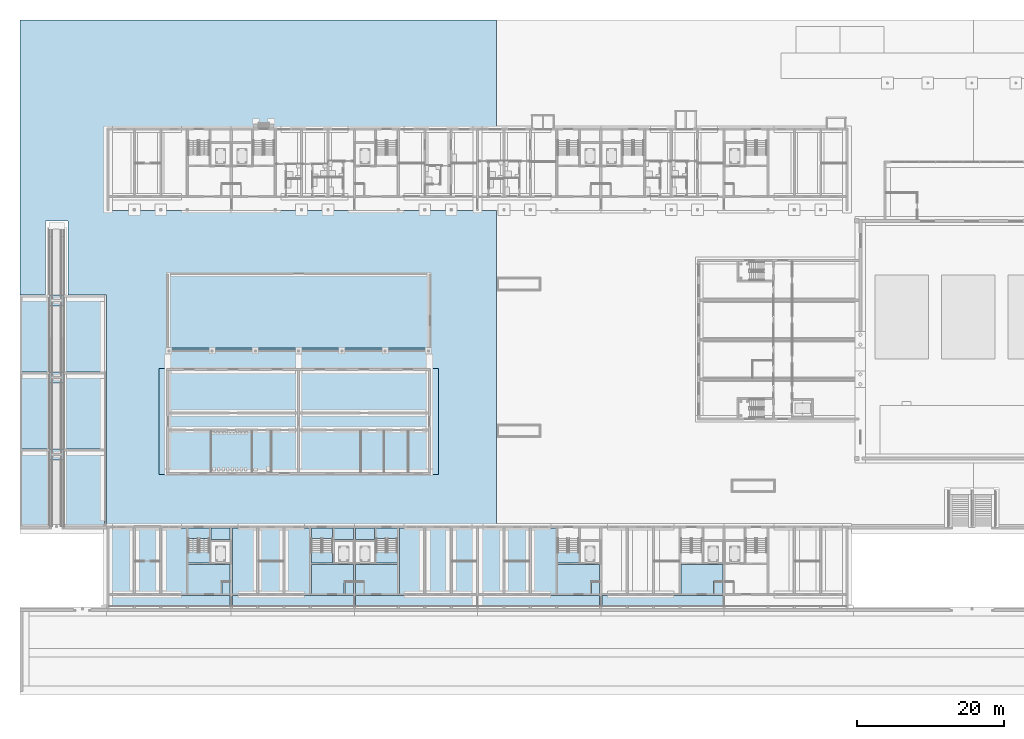
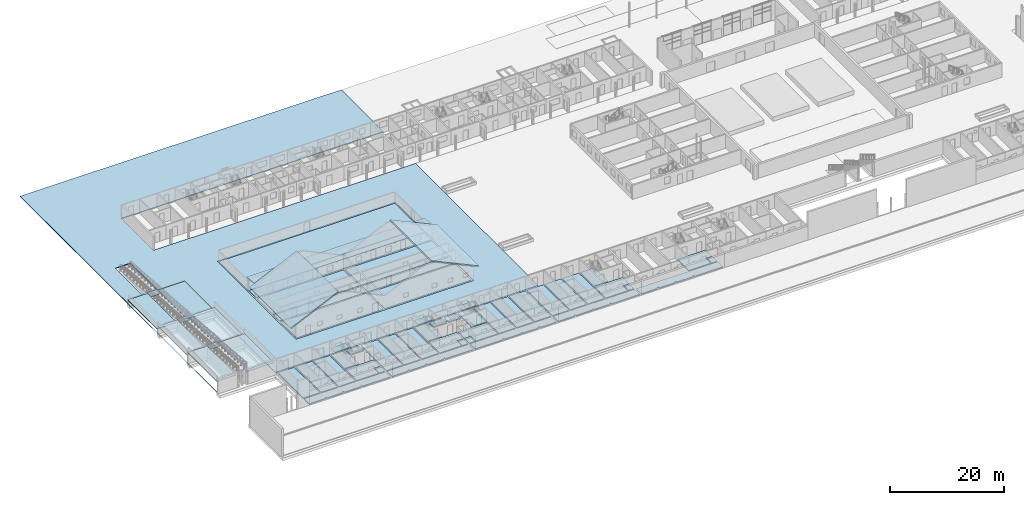
# One storey, part 29 of 112: 58 slabs, 4 elements without a shape of their own.
"""IFC4 building model written with IfcOpenShell, lengths in metres."""

from ifc_helpers import new_model, si_unit, direction, frame, origin, place, context, subcontext, project, spatial, polyline, outline, extrude, material, layer, layer_set, type_object, element, aggregate, save


model = new_model("IFC4")

# Units and contexts
model_context = context("Model", 3, precision=1e-05, world=origin(), true_north=direction((0.0, 1.0)))
body_context = subcontext(model_context, "Body", "Model", "MODEL_VIEW")
ifc_project = project(units=[si_unit("LENGTHUNIT", "METRE"), si_unit("AREAUNIT", "SQUARE_METRE"), si_unit("VOLUMEUNIT", "CUBIC_METRE"), si_unit("PLANEANGLEUNIT", "RADIAN"), si_unit("MASSUNIT", "GRAM", prefix="KILO")], contexts=[model_context])

# Site, building, storey
site_placement = place(None, origin())
site = spatial("IfcSite", under=ifc_project, at=site_placement, CompositionType="ELEMENT")
building_placement = place(site_placement, origin())
building = spatial("IfcBuilding", under=site, at=building_placement, Name="Ridgestep Commons", CompositionType="ELEMENT")
storey_placement = place(building_placement, origin())
storey = spatial("IfcBuildingStorey", under=building, at=storey_placement, Name="L00", CompositionType="ELEMENT", Elevation=0.0)

# Slabs
ifc_material_1 = material(Name="Concrete C30/37", Category="concrete")
ifc_layer_1 = layer(ifc_material_1, 0.14990234375)
ifc_layer_set_1 = layer_set([ifc_layer_1], Name="Community ground slab 150")
slab_type_1 = type_object("IfcSlabType", Name="Community ground slab 150", PredefinedType="BASESLAB", material=ifc_layer_set_1)
slab_1_placement = place(storey_placement, frame((0.0, 0.0, -0.14990234375)))
element("IfcSlab", 1, at=slab_1_placement, inside=storey, type_object=slab_type_1, Name="Community ground slab 150", PredefinedType="BASESLAB", context=body_context, shape_type="SweptSolid", body=[
    extrude(outline(polyline([(20.300048828125, 30.300048828125), (37.85009765625, 30.300048828125), (37.85009765625, 35.949951171875), (20.300048828125, 35.949951171875), (20.300048828125, 30.300048828125)])), origin(), (0.0, 0.0, 1.0), 0.14990234375),
])
slab_2_placement = place(storey_placement, frame((0.0, 0.0, -0.14990234375)))
element("IfcSlab", 2, at=slab_2_placement, inside=storey, type_object=slab_type_1, Name="Community ground slab 150", PredefinedType="BASESLAB", context=body_context, shape_type="SweptSolid", body=[
    extrude(outline(polyline([(20.300048828125, 36.25), (37.85009765625, 36.25), (37.85009765625, 38.25), (20.300048828125, 38.25), (20.300048828125, 36.25)])), origin(), (0.0, 0.0, 1.0), 0.14990234375),
])
slab_3_placement = place(storey_placement, frame((0.0, 0.0, -0.14990234375)))
element("IfcSlab", 3, at=slab_3_placement, inside=storey, type_object=slab_type_1, Name="Community ground slab 150", PredefinedType="BASESLAB", context=body_context, shape_type="SweptSolid", body=[
    extrude(outline(polyline([(20.300048828125, 38.550048828125), (37.85009765625, 38.550048828125), (37.85009765625, 44.199951171875), (20.300048828125, 44.199951171875), (20.300048828125, 38.550048828125)])), origin(), (0.0, 0.0, 1.0), 0.14990234375),
])
slab_4_placement = place(storey_placement, frame((0.0, 0.0, -0.14990234375)))
element("IfcSlab", 4, at=slab_4_placement, inside=storey, type_object=slab_type_1, Name="Community ground slab 150", PredefinedType="BASESLAB", context=body_context, shape_type="SweptSolid", body=[
    extrude(outline(polyline([(38.14990234375, 30.300048828125), (55.699951171875, 30.300048828125), (55.699951171875, 35.949951171875), (38.14990234375, 35.949951171875), (38.14990234375, 30.300048828125)])), origin(), (0.0, 0.0, 1.0), 0.14990234375),
])
slab_5_placement = place(storey_placement, frame((0.0, 0.0, -0.14990234375)))
element("IfcSlab", 5, at=slab_5_placement, inside=storey, type_object=slab_type_1, Name="Community ground slab 150", PredefinedType="BASESLAB", context=body_context, shape_type="SweptSolid", body=[
    extrude(outline(polyline([(38.14990234375, 36.25), (55.699951171875, 36.25), (55.699951171875, 38.25), (38.14990234375, 38.25), (38.14990234375, 36.25)])), origin(), (0.0, 0.0, 1.0), 0.14990234375),
])
slab_6_placement = place(storey_placement, frame((0.0, 0.0, -0.14990234375)))
element("IfcSlab", 6, at=slab_6_placement, inside=storey, type_object=slab_type_1, Name="Community ground slab 150", PredefinedType="BASESLAB", context=body_context, shape_type="SweptSolid", body=[
    extrude(outline(polyline([(38.14990234375, 38.550048828125), (55.699951171875, 38.550048828125), (55.699951171875, 44.199951171875), (38.14990234375, 44.199951171875), (38.14990234375, 38.550048828125)])), origin(), (0.0, 0.0, 1.0), 0.14990234375),
])
ifc_material_2 = material(Name="Concrete C30/37", Category="concrete")
ifc_layer_2 = layer(ifc_material_2, 0.14990234375)
ifc_layer_set_2 = layer_set([ifc_layer_2], Name="Community paving slab 150")
slab_type_2 = type_object("IfcSlabType", Name="Community paving slab 150", PredefinedType="BASESLAB", material=ifc_layer_set_2)
slab_7_placement = place(storey_placement, frame((0.0, 0.0, -0.14990234375)))
element("IfcSlab", 7, at=slab_7_placement, inside=storey, type_object=slab_type_2, Name="Play yard surface", PredefinedType="BASESLAB", context=body_context, shape_type="SweptSolid", body=[
    extrude(outline(polyline([(20.199951171875, 47.0), (55.800048828125, 47.0), (55.800048828125, 57.300048828125), (20.199951171875, 57.300048828125), (20.199951171875, 47.0)])), origin(), (0.0, 0.0, 1.0), 0.14990234375),
])
slab_8_placement = place(storey_placement, frame((0.0, 0.0, -0.14990234375)))
element("IfcSlab", 8, at=slab_8_placement, inside=storey, type_object=slab_type_2, Name="Court paving", PredefinedType="BASESLAB", context=body_context, shape_type="SweptSolid", body=[
    extrude(outline(polyline([(65.0, 23.0), (11.800048828125, 23.0), (11.800048828125, 54.5), (6.550048828125, 54.5), (6.550048828125, 64.60009765625), (3.449951171875, 64.60009765625), (3.449951171875, 54.5), (0.001953125, 54.5), (0.001953125, 23.0), (0.0, 23.0), (0.0, 92.0), (65.0, 92.0), (65.0, 77.25), (12.0, 77.25), (12.0, 66.0), (65.0, 66.0), (65.0, 23.0)]), holes=[polyline([(56.0, 30.0), (56.0, 57.5), (20.0, 57.5), (20.0, 30.0), (56.0, 30.0)])]), origin(), (0.0, 0.0, 1.0), 0.14990234375),
])

# Ramp, slabs
ramp_placement = place(storey_placement, origin())
ramp = element("IfcRamp", 9, at=ramp_placement, inside=storey, Name="Accessible ramp", PredefinedType="STRAIGHT_RUN_RAMP")
ifc_material_3 = material(Name="Precast concrete C40/50", Category="concrete")
ifc_layer_3 = layer(ifc_material_3, 0.14990234375)
ifc_layer_set_3 = layer_set([ifc_layer_3], Name="Community ramp landing slab 150")
slab_type_3 = type_object("IfcSlabType", Name="Community ramp landing slab 150", PredefinedType="LANDING", material=ifc_layer_set_3)
slab_9_placement = place(storey_placement, frame((0.0, 0.0, 0.60009765625)))
slab_9 = element("IfcSlab", 10, at=slab_9_placement, type_object=slab_type_3, Name="Ramp landing", PredefinedType="LANDING", context=body_context, shape_type="SweptSolid", body=[
    extrude(outline(polyline([(3.949951171875, 53.0), (6.050048828125, 53.0), (6.050048828125, 54.5), (3.949951171875, 54.5), (3.949951171875, 53.0)])), origin(), (0.0, 0.0, 1.0), 0.14990234375),
])
slab_10_placement = place(storey_placement, frame((0.0, 0.0, 1.35009765625)))
slab_10 = element("IfcSlab", 11, at=slab_10_placement, type_object=slab_type_3, Name="Ramp landing", PredefinedType="LANDING", context=body_context, shape_type="SweptSolid", body=[
    extrude(outline(polyline([(3.949951171875, 42.5), (6.050048828125, 42.5), (6.050048828125, 44.0), (3.949951171875, 44.0), (3.949951171875, 42.5)])), origin(), (0.0, 0.0, 1.0), 0.14990234375),
])
slab_11_placement = place(storey_placement, frame((0.0, 0.0, 2.10009765625)))
slab_11 = element("IfcSlab", 12, at=slab_11_placement, type_object=slab_type_3, Name="Ramp landing", PredefinedType="LANDING", context=body_context, shape_type="SweptSolid", body=[
    extrude(outline(polyline([(3.949951171875, 32.0), (6.050048828125, 32.0), (6.050048828125, 33.5), (3.949951171875, 33.5), (3.949951171875, 32.0)])), origin(), (0.0, 0.0, 1.0), 0.14990234375),
])
aggregate(ramp, [slab_9, slab_10, slab_11])

# Slabs
ifc_material_4 = material(Name="Concrete C30/37", Category="concrete")
ifc_layer_4 = layer(ifc_material_4, 0.14990234375)
ifc_layer_set_4 = layer_set([ifc_layer_4], Name="Community terrace slab 150")
slab_type_4 = type_object("IfcSlabType", Name="Community terrace slab 150", PredefinedType="BASESLAB", material=ifc_layer_set_4)
slab_12_placement = place(storey_placement, frame((0.0, 0.0, 0.60009765625)))
element("IfcSlab", 13, at=slab_12_placement, inside=storey, type_object=slab_type_4, Name="Bank terrace paving", PredefinedType="BASESLAB", context=body_context, shape_type="SweptSolid", body=[
    extrude(outline(polyline([(0.001953125, 44.0), (3.949951171875, 44.0), (3.949951171875, 54.199951171875), (0.001953125, 54.199951171875), (0.001953125, 44.0)])), origin(), (0.0, 0.0, 1.0), 0.14990234375),
])
slab_13_placement = place(storey_placement, frame((0.0, 0.0, 0.60009765625)))
element("IfcSlab", 14, at=slab_13_placement, inside=storey, type_object=slab_type_4, Name="Bank terrace paving", PredefinedType="BASESLAB", context=body_context, shape_type="SweptSolid", body=[
    extrude(outline(polyline([(6.050048828125, 44.0), (11.5, 44.0), (11.5, 54.199951171875), (6.050048828125, 54.199951171875), (6.050048828125, 44.0)])), origin(), (0.0, 0.0, 1.0), 0.14990234375),
])
slab_14_placement = place(storey_placement, frame((0.0, 0.0, 1.35009765625)))
element("IfcSlab", 15, at=slab_14_placement, inside=storey, type_object=slab_type_4, Name="Bank terrace paving", PredefinedType="BASESLAB", context=body_context, shape_type="SweptSolid", body=[
    extrude(outline(polyline([(0.001953125, 33.5), (3.949951171875, 33.5), (3.949951171875, 43.699951171875), (0.001953125, 43.699951171875), (0.001953125, 33.5)])), origin(), (0.0, 0.0, 1.0), 0.14990234375),
])
slab_15_placement = place(storey_placement, frame((0.0, 0.0, 1.35009765625)))
element("IfcSlab", 16, at=slab_15_placement, inside=storey, type_object=slab_type_4, Name="Bank terrace paving", PredefinedType="BASESLAB", context=body_context, shape_type="SweptSolid", body=[
    extrude(outline(polyline([(6.050048828125, 33.5), (11.5, 33.5), (11.5, 43.699951171875), (6.050048828125, 43.699951171875), (6.050048828125, 33.5)])), origin(), (0.0, 0.0, 1.0), 0.14990234375),
])
slab_16_placement = place(storey_placement, frame((0.0, 0.0, 2.10009765625)))
element("IfcSlab", 17, at=slab_16_placement, inside=storey, type_object=slab_type_4, Name="Bank terrace paving", PredefinedType="BASESLAB", context=body_context, shape_type="SweptSolid", body=[
    extrude(outline(polyline([(0.001953125, 23.0), (3.949951171875, 23.0), (3.949951171875, 33.199951171875), (0.001953125, 33.199951171875), (0.001953125, 23.0)])), origin(), (0.0, 0.0, 1.0), 0.14990234375),
])
slab_17_placement = place(storey_placement, frame((0.0, 0.0, 2.10009765625)))
element("IfcSlab", 18, at=slab_17_placement, inside=storey, type_object=slab_type_4, Name="Bank terrace paving", PredefinedType="BASESLAB", context=body_context, shape_type="SweptSolid", body=[
    extrude(outline(polyline([(6.050048828125, 23.0), (11.5, 23.0), (11.5, 33.199951171875), (6.050048828125, 33.199951171875), (6.050048828125, 23.0)])), origin(), (0.0, 0.0, 1.0), 0.14990234375),
])
ifc_material_5 = material(Name="Precast concrete C40/50", Category="concrete")
ifc_layer_5 = layer(ifc_material_5, 0.199951171875)
ifc_layer_set_5 = layer_set([ifc_layer_5], Name="Gallery slab 200")
slab_type_5 = type_object("IfcSlabType", Name="Gallery slab 200", PredefinedType="FLOOR", material=ifc_layer_set_5)
slab_18_placement = place(storey_placement, frame((0.0, 0.0, -0.199951171875)))
element("IfcSlab", 19, at=slab_18_placement, inside=storey, type_object=slab_type_5, Name="Gallery slab A1 L00", PredefinedType="FLOOR", context=body_context, shape_type="SweptSolid", body=[
    extrude(outline(polyline([(28.64990234375, 13.550048828125), (12.14990234375, 13.550048828125), (12.14990234375, 11.75), (15.47509765625, 11.75), (15.47509765625, 12.0), (15.72509765625, 12.0), (15.72509765625, 11.75), (19.074951171875, 11.75), (19.074951171875, 12.0), (19.324951171875, 12.0), (19.324951171875, 11.75), (22.675048828125, 11.75), (22.675048828125, 12.0), (22.925048828125, 12.0), (22.925048828125, 11.75), (28.64990234375, 11.75), (28.64990234375, 13.550048828125)])), origin(), (0.0, 0.0, 1.0), 0.199951171875),
])
slab_19_placement = place(storey_placement, frame((0.0, 0.0, -0.199951171875)))
element("IfcSlab", 20, at=slab_19_placement, inside=storey, type_object=slab_type_5, Name="Gallery slab A2 L00", PredefinedType="FLOOR", context=body_context, shape_type="SweptSolid", body=[
    extrude(outline(polyline([(45.449951171875, 13.550048828125), (28.949951171875, 13.550048828125), (28.949951171875, 11.75), (32.27490234375, 11.75), (32.27490234375, 12.0), (32.52490234375, 12.0), (32.52490234375, 11.75), (35.875, 11.75), (35.875, 12.0), (36.125, 12.0), (36.125, 11.75), (39.47509765625, 11.75), (39.47509765625, 12.0), (39.72509765625, 12.0), (39.72509765625, 11.75), (45.449951171875, 11.75), (45.449951171875, 13.550048828125)])), origin(), (0.0, 0.0, 1.0), 0.199951171875),
])
slab_20_placement = place(storey_placement, frame((0.0, 0.0, -0.199951171875)))
element("IfcSlab", 21, at=slab_20_placement, inside=storey, type_object=slab_type_5, Name="Gallery slab A3 L00", PredefinedType="FLOOR", context=body_context, shape_type="SweptSolid", body=[
    extrude(outline(polyline([(62.25, 13.550048828125), (45.75, 13.550048828125), (45.75, 11.75), (51.47509765625, 11.75), (51.47509765625, 12.0), (51.72509765625, 12.0), (51.72509765625, 11.75), (55.074951171875, 11.75), (55.074951171875, 12.0), (55.324951171875, 12.0), (55.324951171875, 11.75), (58.675048828125, 11.75), (58.675048828125, 12.0), (58.925048828125, 12.0), (58.925048828125, 11.75), (62.25, 11.75), (62.25, 13.550048828125)])), origin(), (0.0, 0.0, 1.0), 0.199951171875),
])
slab_21_placement = place(storey_placement, frame((0.0, 0.0, -0.199951171875)))
element("IfcSlab", 22, at=slab_21_placement, inside=storey, type_object=slab_type_5, Name="Gallery slab A4 L00", PredefinedType="FLOOR", context=body_context, shape_type="SweptSolid", body=[
    extrude(outline(polyline([(79.050048828125, 13.550048828125), (62.550048828125, 13.550048828125), (62.550048828125, 11.75), (65.875, 11.75), (65.875, 12.0), (66.125, 12.0), (66.125, 11.75), (69.47509765625, 11.75), (69.47509765625, 12.0), (69.72509765625, 12.0), (69.72509765625, 11.75), (73.074951171875, 11.75), (73.074951171875, 12.0), (73.324951171875, 12.0), (73.324951171875, 11.75), (79.050048828125, 11.75), (79.050048828125, 13.550048828125)])), origin(), (0.0, 0.0, 1.0), 0.199951171875),
])
slab_22_placement = place(storey_placement, frame((0.0, 0.0, -0.199951171875)))
element("IfcSlab", 23, at=slab_22_placement, inside=storey, type_object=slab_type_5, Name="Gallery slab A5 L00", PredefinedType="FLOOR", context=body_context, shape_type="SweptSolid", body=[
    extrude(outline(polyline([(95.85009765625, 13.550048828125), (79.35009765625, 13.550048828125), (79.35009765625, 11.75), (82.675048828125, 11.75), (82.675048828125, 12.0), (82.925048828125, 12.0), (82.925048828125, 11.75), (86.27490234375, 11.75), (86.27490234375, 12.0), (86.52490234375, 12.0), (86.52490234375, 11.75), (89.875, 11.75), (89.875, 12.0), (90.125, 12.0), (90.125, 11.75), (95.85009765625, 11.75), (95.85009765625, 13.550048828125)])), origin(), (0.0, 0.0, 1.0), 0.199951171875),
])
ifc_material_6 = material(Name="Precast concrete C50/60", Category="concrete")
ifc_layer_6 = layer(ifc_material_6, 0.25)
ifc_layer_set_6 = layer_set([ifc_layer_6], Name="Nursery roof slab 250")
slab_type_6 = type_object("IfcSlabType", Name="Nursery roof slab 250", PredefinedType="ROOF", material=ifc_layer_set_6)
for number, where, z_axis, x_axis, name in (
    (24, (18.949951171875, 30.0, 2.71630859375), (-0.422623678909, 0.0, 0.90630526095), (0.90630526095, 0.0, 0.422623678909), "Nursery roof plank"),
    (25, (47.425048828125, 30.0, 7.20458984375), (0.422623678909, 0.0, 0.90630526095), (0.90630526095, 0.0, -0.422623678909), "Nursery roof plank"),
):
    element("IfcSlab", number, at=place(storey_placement, frame(where, z_axis=z_axis, x_axis=x_axis)), inside=storey, type_object=slab_type_6, Name=name, PredefinedType="ROOF", context=body_context, shape_type="SweptSolid", body=[
        extrude(outline(polyline([(0.0, 0.0), (10.62004207049584, 0.0), (10.62004207049584, 14.5), (0.0, 14.5), (0.0, 0.0)])), origin(), (0.0, 0.0, -1.0), 0.25),
    ])
ifc_material_7 = material(Name="Precast concrete C50/60", Category="concrete")
ifc_layer_7 = layer(ifc_material_7, 0.14990234375)
ifc_layer_set_7 = layer_set([ifc_layer_7], Name="Nursery verandah roof slab 150")
slab_type_7 = type_object("IfcSlabType", Name="Nursery verandah roof slab 150", PredefinedType="ROOF", material=ifc_layer_set_7)
slab_23_placement = place(storey_placement, frame((20.0, 44.5, 3.15087890625), z_axis=(0.0, 0.109289955474, 0.994009912241), x_axis=(1.0, 0.0, 0.0)))
element("IfcSlab", 26, at=slab_23_placement, inside=storey, type_object=slab_type_7, Name="Verandah roof slab", PredefinedType="ROOF", context=body_context, shape_type="SweptSolid", body=[
    extrude(outline(polyline([(0.0, 0.0), (36.0, 0.0), (36.0, 2.8169224407567692), (0.0, 2.8169224407567692), (0.0, 0.0)])), origin(), (0.0, 0.0, -1.0), 0.14990234375),
])
ifc_material_8 = material(Name="Concrete C30/37", Category="concrete")
ifc_layer_8 = layer(ifc_material_8, 0.25)
ifc_layer_set_8 = layer_set([ifc_layer_8], Name="Slab on grade 250")
slab_type_8 = type_object("IfcSlabType", Name="Slab on grade 250", PredefinedType="BASESLAB", material=ifc_layer_set_8)
slab_24_placement = place(storey_placement, frame((0.0, 0.0, -0.25)))
element("IfcSlab", 27, at=slab_24_placement, inside=storey, type_object=slab_type_8, Name="Slab on grade A1T1", PredefinedType="BASESLAB", context=body_context, shape_type="SweptSolid", body=[
    extrude(outline(polyline([(15.47509765625, 13.75), (15.47509765625, 22.75), (12.14990234375, 22.75), (12.14990234375, 13.75), (15.47509765625, 13.75)])), origin(), (0.0, 0.0, 1.0), 0.25),
])
slab_25_placement = place(storey_placement, frame((0.0, 0.0, -0.25)))
element("IfcSlab", 28, at=slab_25_placement, inside=storey, type_object=slab_type_8, Name="Slab on grade A1T2", PredefinedType="BASESLAB", context=body_context, shape_type="SweptSolid", body=[
    extrude(outline(polyline([(19.074951171875, 13.75), (19.074951171875, 22.75), (15.72509765625, 22.75), (15.72509765625, 13.75), (19.074951171875, 13.75)])), origin(), (0.0, 0.0, 1.0), 0.25),
])
slab_26_placement = place(storey_placement, frame((0.0, 0.0, -0.25)))
element("IfcSlab", 29, at=slab_26_placement, inside=storey, type_object=slab_type_8, Name="Slab on grade A1T3", PredefinedType="BASESLAB", context=body_context, shape_type="SweptSolid", body=[
    extrude(outline(polyline([(22.675048828125, 13.75), (22.675048828125, 22.75), (19.324951171875, 22.75), (19.324951171875, 13.75), (22.675048828125, 13.75)])), origin(), (0.0, 0.0, 1.0), 0.25),
])
slab_27_placement = place(storey_placement, frame((0.0, 0.0, -0.25)))
element("IfcSlab", 30, at=slab_27_placement, inside=storey, type_object=slab_type_8, Name="Slab on grade A1C", PredefinedType="BASESLAB", context=body_context, shape_type="SweptSolid", body=[
    extrude(outline(polyline([(27.52001953125, 15.469970703125), (28.64990234375, 15.469970703125), (28.64990234375, 17.75), (22.925048828125, 17.75), (22.925048828125, 13.75), (27.39990234375, 13.75), (27.39990234375, 15.469970703125), (27.52001953125, 15.469970703125)])), origin(), (0.0, 0.0, 1.0), 0.25),
])
slab_28_placement = place(storey_placement, frame((0.0, 0.0, -0.25)))
element("IfcSlab", 31, at=slab_28_placement, inside=storey, type_object=slab_type_8, Name="Slab on grade A1C", PredefinedType="BASESLAB", context=body_context, shape_type="SweptSolid", body=[
    extrude(outline(polyline([(25.824951171875, 22.75), (22.925048828125, 22.75), (22.925048828125, 17.949951171875), (25.824951171875, 17.949951171875), (25.824951171875, 22.75)])), origin(), (0.0, 0.0, 1.0), 0.25),
])
slab_29_placement = place(storey_placement, frame((0.0, 0.0, -0.25)))
element("IfcSlab", 32, at=slab_29_placement, inside=storey, type_object=slab_type_8, Name="Slab on grade A1C", PredefinedType="BASESLAB", context=body_context, shape_type="SweptSolid", body=[
    extrude(outline(polyline([(28.64990234375, 21.14990234375), (28.64990234375, 22.75), (26.02490234375, 22.75), (26.02490234375, 21.14990234375), (28.64990234375, 21.14990234375)])), origin(), (0.0, 0.0, 1.0), 0.25),
])
slab_30_placement = place(storey_placement, frame((0.0, 0.0, -0.25)))
element("IfcSlab", 33, at=slab_30_placement, inside=storey, type_object=slab_type_8, Name="Slab on grade A1C", PredefinedType="BASESLAB", context=body_context, shape_type="SweptSolid", body=[
    extrude(outline(polyline([(27.52001953125, 13.75), (28.64990234375, 13.75), (28.64990234375, 15.35009765625), (27.52001953125, 15.35009765625), (27.52001953125, 13.75)])), origin(), (0.0, 0.0, 1.0), 0.25),
])
slab_31_placement = place(storey_placement, frame((0.0, 0.0, -0.25)))
element("IfcSlab", 34, at=slab_31_placement, inside=storey, type_object=slab_type_8, Name="Slab on grade A2T1", PredefinedType="BASESLAB", context=body_context, shape_type="SweptSolid", body=[
    extrude(outline(polyline([(32.27490234375, 13.75), (32.27490234375, 22.75), (28.949951171875, 22.75), (28.949951171875, 13.75), (32.27490234375, 13.75)])), origin(), (0.0, 0.0, 1.0), 0.25),
])
slab_32_placement = place(storey_placement, frame((0.0, 0.0, -0.25)))
element("IfcSlab", 35, at=slab_32_placement, inside=storey, type_object=slab_type_8, Name="Slab on grade A2T2", PredefinedType="BASESLAB", context=body_context, shape_type="SweptSolid", body=[
    extrude(outline(polyline([(35.875, 13.75), (35.875, 22.75), (32.52490234375, 22.75), (32.52490234375, 13.75), (35.875, 13.75)])), origin(), (0.0, 0.0, 1.0), 0.25),
])
slab_33_placement = place(storey_placement, frame((0.0, 0.0, -0.25)))
element("IfcSlab", 36, at=slab_33_placement, inside=storey, type_object=slab_type_8, Name="Slab on grade A2T3", PredefinedType="BASESLAB", context=body_context, shape_type="SweptSolid", body=[
    extrude(outline(polyline([(39.47509765625, 13.75), (39.47509765625, 22.75), (36.125, 22.75), (36.125, 13.75), (39.47509765625, 13.75)])), origin(), (0.0, 0.0, 1.0), 0.25),
])
slab_34_placement = place(storey_placement, frame((0.0, 0.0, -0.25)))
element("IfcSlab", 37, at=slab_34_placement, inside=storey, type_object=slab_type_8, Name="Slab on grade A2C", PredefinedType="BASESLAB", context=body_context, shape_type="SweptSolid", body=[
    extrude(outline(polyline([(44.320068359375, 15.469970703125), (45.449951171875, 15.469970703125), (45.449951171875, 17.75), (39.72509765625, 17.75), (39.72509765625, 13.75), (44.199951171875, 13.75), (44.199951171875, 15.469970703125), (44.320068359375, 15.469970703125)])), origin(), (0.0, 0.0, 1.0), 0.25),
])
slab_35_placement = place(storey_placement, frame((0.0, 0.0, -0.25)))
element("IfcSlab", 38, at=slab_35_placement, inside=storey, type_object=slab_type_8, Name="Slab on grade A2C", PredefinedType="BASESLAB", context=body_context, shape_type="SweptSolid", body=[
    extrude(outline(polyline([(42.625, 22.75), (39.72509765625, 22.75), (39.72509765625, 17.949951171875), (42.625, 17.949951171875), (42.625, 22.75)])), origin(), (0.0, 0.0, 1.0), 0.25),
])
slab_36_placement = place(storey_placement, frame((0.0, 0.0, -0.25)))
element("IfcSlab", 39, at=slab_36_placement, inside=storey, type_object=slab_type_8, Name="Slab on grade A2C", PredefinedType="BASESLAB", context=body_context, shape_type="SweptSolid", body=[
    extrude(outline(polyline([(45.449951171875, 21.14990234375), (45.449951171875, 22.75), (42.824951171875, 22.75), (42.824951171875, 21.14990234375), (45.449951171875, 21.14990234375)])), origin(), (0.0, 0.0, 1.0), 0.25),
])
slab_37_placement = place(storey_placement, frame((0.0, 0.0, -0.25)))
element("IfcSlab", 40, at=slab_37_placement, inside=storey, type_object=slab_type_8, Name="Slab on grade A2C", PredefinedType="BASESLAB", context=body_context, shape_type="SweptSolid", body=[
    extrude(outline(polyline([(44.320068359375, 13.75), (45.449951171875, 13.75), (45.449951171875, 15.35009765625), (44.320068359375, 15.35009765625), (44.320068359375, 13.75)])), origin(), (0.0, 0.0, 1.0), 0.25),
])
slab_38_placement = place(storey_placement, frame((0.0, 0.0, -0.25)))
element("IfcSlab", 41, at=slab_38_placement, inside=storey, type_object=slab_type_8, Name="Slab on grade A3C", PredefinedType="BASESLAB", context=body_context, shape_type="SweptSolid", body=[
    extrude(outline(polyline([(47.0, 13.75), (51.47509765625, 13.75), (51.47509765625, 17.75), (45.75, 17.75), (45.75, 15.469970703125), (46.8798828125, 15.469970703125), (47.0, 15.469970703125), (47.0, 13.75)])), origin(), (0.0, 0.0, 1.0), 0.25),
])
slab_39_placement = place(storey_placement, frame((0.0, 0.0, -0.25)))
element("IfcSlab", 42, at=slab_39_placement, inside=storey, type_object=slab_type_8, Name="Slab on grade A3C", PredefinedType="BASESLAB", context=body_context, shape_type="SweptSolid", body=[
    extrude(outline(polyline([(51.47509765625, 17.949951171875), (51.47509765625, 22.75), (48.574951171875, 22.75), (48.574951171875, 17.949951171875), (51.47509765625, 17.949951171875)])), origin(), (0.0, 0.0, 1.0), 0.25),
])
slab_40_placement = place(storey_placement, frame((0.0, 0.0, -0.25)))
element("IfcSlab", 43, at=slab_40_placement, inside=storey, type_object=slab_type_8, Name="Slab on grade A3C", PredefinedType="BASESLAB", context=body_context, shape_type="SweptSolid", body=[
    extrude(outline(polyline([(48.375, 22.75), (45.75, 22.75), (45.75, 21.14990234375), (48.375, 21.14990234375), (48.375, 22.75)])), origin(), (0.0, 0.0, 1.0), 0.25),
])
slab_41_placement = place(storey_placement, frame((0.0, 0.0, -0.25)))
element("IfcSlab", 44, at=slab_41_placement, inside=storey, type_object=slab_type_8, Name="Slab on grade A3C", PredefinedType="BASESLAB", context=body_context, shape_type="SweptSolid", body=[
    extrude(outline(polyline([(46.8798828125, 15.35009765625), (45.75, 15.35009765625), (45.75, 13.75), (46.8798828125, 13.75), (46.8798828125, 15.35009765625)])), origin(), (0.0, 0.0, 1.0), 0.25),
])
slab_42_placement = place(storey_placement, frame((0.0, 0.0, -0.25)))
element("IfcSlab", 45, at=slab_42_placement, inside=storey, type_object=slab_type_8, Name="Slab on grade A3T3", PredefinedType="BASESLAB", context=body_context, shape_type="SweptSolid", body=[
    extrude(outline(polyline([(55.074951171875, 13.75), (55.074951171875, 22.75), (51.72509765625, 22.75), (51.72509765625, 13.75), (55.074951171875, 13.75)])), origin(), (0.0, 0.0, 1.0), 0.25),
])
slab_43_placement = place(storey_placement, frame((0.0, 0.0, -0.25)))
element("IfcSlab", 46, at=slab_43_placement, inside=storey, type_object=slab_type_8, Name="Slab on grade A3T2", PredefinedType="BASESLAB", context=body_context, shape_type="SweptSolid", body=[
    extrude(outline(polyline([(58.675048828125, 13.75), (58.675048828125, 22.75), (55.324951171875, 22.75), (55.324951171875, 13.75), (58.675048828125, 13.75)])), origin(), (0.0, 0.0, 1.0), 0.25),
])
slab_44_placement = place(storey_placement, frame((0.0, 0.0, -0.25)))
element("IfcSlab", 47, at=slab_44_placement, inside=storey, type_object=slab_type_8, Name="Slab on grade A3T1", PredefinedType="BASESLAB", context=body_context, shape_type="SweptSolid", body=[
    extrude(outline(polyline([(62.25, 13.75), (62.25, 22.75), (58.925048828125, 22.75), (58.925048828125, 13.75), (62.25, 13.75)])), origin(), (0.0, 0.0, 1.0), 0.25),
])
slab_45_placement = place(storey_placement, frame((0.0, 0.0, -0.25)))
element("IfcSlab", 48, at=slab_45_placement, inside=storey, type_object=slab_type_8, Name="Slab on grade A4T1", PredefinedType="BASESLAB", context=body_context, shape_type="SweptSolid", body=[
    extrude(outline(polyline([(65.875, 13.75), (65.875, 22.75), (62.550048828125, 22.75), (62.550048828125, 13.75), (65.875, 13.75)])), origin(), (0.0, 0.0, 1.0), 0.25),
])
slab_46_placement = place(storey_placement, frame((0.0, 0.0, -0.25)))
element("IfcSlab", 49, at=slab_46_placement, inside=storey, type_object=slab_type_8, Name="Slab on grade A4T2", PredefinedType="BASESLAB", context=body_context, shape_type="SweptSolid", body=[
    extrude(outline(polyline([(69.47509765625, 13.75), (69.47509765625, 22.75), (66.125, 22.75), (66.125, 13.75), (69.47509765625, 13.75)])), origin(), (0.0, 0.0, 1.0), 0.25),
])
slab_47_placement = place(storey_placement, frame((0.0, 0.0, -0.25)))
element("IfcSlab", 50, at=slab_47_placement, inside=storey, type_object=slab_type_8, Name="Slab on grade A4T3", PredefinedType="BASESLAB", context=body_context, shape_type="SweptSolid", body=[
    extrude(outline(polyline([(73.074951171875, 13.75), (73.074951171875, 22.75), (69.72509765625, 22.75), (69.72509765625, 13.75), (73.074951171875, 13.75)])), origin(), (0.0, 0.0, 1.0), 0.25),
])
slab_48_placement = place(storey_placement, frame((0.0, 0.0, -0.25)))
element("IfcSlab", 51, at=slab_48_placement, inside=storey, type_object=slab_type_8, Name="Slab on grade A4C", PredefinedType="BASESLAB", context=body_context, shape_type="SweptSolid", body=[
    extrude(outline(polyline([(77.919921875, 15.469970703125), (79.050048828125, 15.469970703125), (79.050048828125, 17.75), (73.324951171875, 17.75), (73.324951171875, 13.75), (77.800048828125, 13.75), (77.800048828125, 15.469970703125), (77.919921875, 15.469970703125)])), origin(), (0.0, 0.0, 1.0), 0.25),
])
slab_49_placement = place(storey_placement, frame((0.0, 0.0, -0.25)))
element("IfcSlab", 52, at=slab_49_placement, inside=storey, type_object=slab_type_8, Name="Slab on grade A4C", PredefinedType="BASESLAB", context=body_context, shape_type="SweptSolid", body=[
    extrude(outline(polyline([(76.22509765625, 22.75), (73.324951171875, 22.75), (73.324951171875, 17.949951171875), (76.22509765625, 17.949951171875), (76.22509765625, 22.75)])), origin(), (0.0, 0.0, 1.0), 0.25),
])
slab_50_placement = place(storey_placement, frame((0.0, 0.0, -0.25)))
element("IfcSlab", 53, at=slab_50_placement, inside=storey, type_object=slab_type_8, Name="Slab on grade A4C", PredefinedType="BASESLAB", context=body_context, shape_type="SweptSolid", body=[
    extrude(outline(polyline([(77.919921875, 13.75), (79.050048828125, 13.75), (79.050048828125, 15.35009765625), (77.919921875, 15.35009765625), (77.919921875, 13.75)])), origin(), (0.0, 0.0, 1.0), 0.25),
])
slab_51_placement = place(storey_placement, frame((0.0, 0.0, -0.25)))
element("IfcSlab", 54, at=slab_51_placement, inside=storey, type_object=slab_type_8, Name="Slab on grade A5C", PredefinedType="BASESLAB", context=body_context, shape_type="SweptSolid", body=[
    extrude(outline(polyline([(94.719970703125, 15.469970703125), (95.85009765625, 15.469970703125), (95.85009765625, 17.75), (90.125, 17.75), (90.125, 13.75), (94.60009765625, 13.75), (94.60009765625, 15.469970703125), (94.719970703125, 15.469970703125)])), origin(), (0.0, 0.0, 1.0), 0.25),
])
slab_52_placement = place(storey_placement, frame((0.0, 0.0, -0.25)))
element("IfcSlab", 55, at=slab_52_placement, inside=storey, type_object=slab_type_8, Name="Slab on grade A5C", PredefinedType="BASESLAB", context=body_context, shape_type="SweptSolid", body=[
    extrude(outline(polyline([(94.719970703125, 13.75), (95.85009765625, 13.75), (95.85009765625, 15.35009765625), (94.719970703125, 15.35009765625), (94.719970703125, 13.75)])), origin(), (0.0, 0.0, 1.0), 0.25),
])

# Stair, slab
ifc_material_9 = material(Name="Precast concrete C40/50", Category="concrete")
stair_type = type_object("IfcStairType", Name="Escape stair 1400", PredefinedType="HALF_TURN_STAIR", material=ifc_material_9)
stair_1_placement = place(storey_placement, origin())
stair_1 = element("IfcStair", 56, at=stair_1_placement, inside=storey, type_object=stair_type, Name="L00 Escape stair A1C", PredefinedType="HALF_TURN_STAIR")
ifc_material_10 = material(Name="Precast concrete C40/50", Category="concrete")
ifc_layer_9 = layer(ifc_material_10, 0.199951171875)
ifc_layer_set_9 = layer_set([ifc_layer_9], Name="Stair landing 200")
slab_type_9 = type_object("IfcSlabType", Name="Stair landing 200", PredefinedType="LANDING", material=ifc_layer_set_9)
slab_53_placement = place(storey_placement, frame((0.0, 0.0, 1.300048828125)))
slab_53 = element("IfcSlab", 57, at=slab_53_placement, type_object=slab_type_9, Name="A1C landing 1", PredefinedType="LANDING", context=body_context, shape_type="SweptSolid", body=[
    extrude(outline(polyline([(25.824951171875, 21.31005859375), (25.824951171875, 22.75), (22.925048828125, 22.75), (22.925048828125, 21.31005859375), (25.824951171875, 21.31005859375)])), origin(), (0.0, 0.0, 1.0), 0.199951171875),
])
aggregate(stair_1, [slab_53])

stair_2_placement = place(storey_placement, origin())
stair_2 = element("IfcStair", 58, at=stair_2_placement, inside=storey, type_object=stair_type, Name="L00 Escape stair A2C", PredefinedType="HALF_TURN_STAIR")
slab_54_placement = place(storey_placement, frame((0.0, 0.0, 1.300048828125)))
slab_54 = element("IfcSlab", 59, at=slab_54_placement, type_object=slab_type_9, Name="A2C landing 1", PredefinedType="LANDING", context=body_context, shape_type="SweptSolid", body=[
    extrude(outline(polyline([(42.625, 21.31005859375), (42.625, 22.75), (39.72509765625, 22.75), (39.72509765625, 21.31005859375), (42.625, 21.31005859375)])), origin(), (0.0, 0.0, 1.0), 0.199951171875),
])
aggregate(stair_2, [slab_54])

stair_3_placement = place(storey_placement, origin())
stair_3 = element("IfcStair", 60, at=stair_3_placement, inside=storey, type_object=stair_type, Name="L00 Escape stair A3C", PredefinedType="HALF_TURN_STAIR")
slab_55_placement = place(storey_placement, frame((0.0, 0.0, 1.300048828125)))
slab_55 = element("IfcSlab", 61, at=slab_55_placement, type_object=slab_type_9, Name="A3C landing 1", PredefinedType="LANDING", context=body_context, shape_type="SweptSolid", body=[
    extrude(outline(polyline([(51.47509765625, 21.31005859375), (51.47509765625, 22.75), (48.574951171875, 22.75), (48.574951171875, 21.31005859375), (51.47509765625, 21.31005859375)])), origin(), (0.0, 0.0, 1.0), 0.199951171875),
])
aggregate(stair_3, [slab_55])

# Slab
ifc_material_11 = material(Name="Concrete C30/37", Category="concrete")
ifc_layer_10 = layer(ifc_material_11, 0.14990234375)
ifc_layer_set_10 = layer_set([ifc_layer_10], Name="Verandah slab 150")
slab_type_10 = type_object("IfcSlabType", Name="Verandah slab 150", PredefinedType="BASESLAB", material=ifc_layer_set_10)
slab_56_placement = place(storey_placement, frame((0.0, 0.0, -0.14990234375)))
element("IfcSlab", 62, at=slab_56_placement, inside=storey, type_object=slab_type_10, Name="Verandah slab 150", PredefinedType="BASESLAB", context=body_context, shape_type="SweptSolid", body=[
    extrude(outline(polyline([(20.39990234375, 46.969970703125), (20.300048828125, 46.969970703125), (20.300048828125, 47.0), (55.699951171875, 47.0), (55.699951171875, 46.969970703125), (55.60009765625, 46.969970703125), (55.60009765625, 46.77001953125), (55.699951171875, 46.77001953125), (55.699951171875, 44.5), (20.300048828125, 44.5), (20.300048828125, 46.77001953125), (20.39990234375, 46.77001953125), (20.39990234375, 46.969970703125)]), holes=[polyline([(26.10009765625, 46.969970703125), (26.10009765625, 46.77001953125), (26.300048828125, 46.77001953125), (26.300048828125, 46.969970703125), (26.10009765625, 46.969970703125)]), polyline([(32.199951171875, 46.969970703125), (32.0, 46.969970703125), (32.0, 46.77001953125), (32.199951171875, 46.77001953125), (32.199951171875, 46.969970703125)]), polyline([(38.10009765625, 46.77001953125), (38.10009765625, 46.969970703125), (37.89990234375, 46.969970703125), (37.89990234375, 46.77001953125), (38.10009765625, 46.77001953125)]), polyline([(43.800048828125, 46.77001953125), (44.0, 46.77001953125), (44.0, 46.969970703125), (43.800048828125, 46.969970703125), (43.800048828125, 46.77001953125)]), polyline([(49.699951171875, 46.969970703125), (49.699951171875, 46.77001953125), (49.89990234375, 46.77001953125), (49.89990234375, 46.969970703125), (49.699951171875, 46.969970703125)])]), origin(), (0.0, 0.0, 1.0), 0.14990234375),
])

save(model, "model.ifc")
